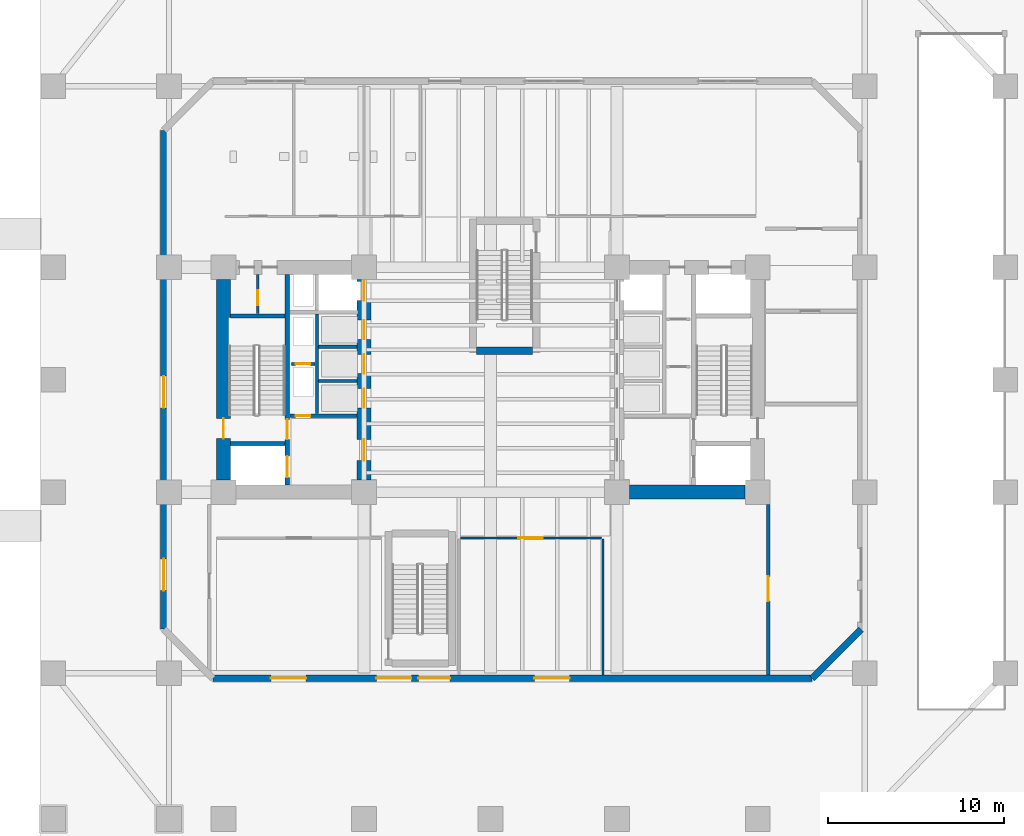
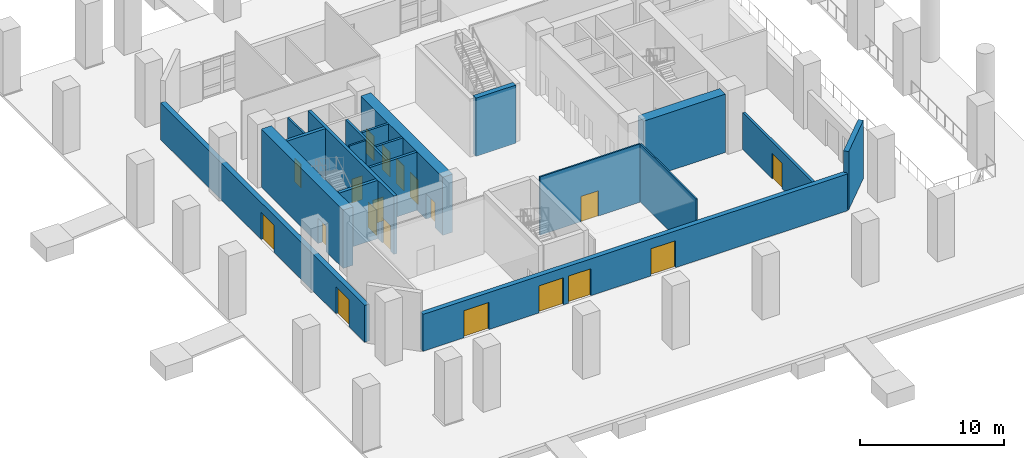
# One storey, part 4 of 12: 19 doors, 19 walls, 19 openings.
"""IFC4 building model written with IfcOpenShell, lengths in metres."""

from ifc_helpers import new_model, si_unit, direction, frame, frame_2d, origin, place, context, subcontext, project, spatial, rectangle, extrude, material, layer, layer_set, type_object, element, fill, save


model = new_model("IFC4")

# Units and contexts
model_context = context("Model", 3, precision=1e-05, world=origin(), true_north=direction((0.0, 1.0)))
body_context = subcontext(model_context, "Body", "Model", "MODEL_VIEW")
ifc_project = project(units=[si_unit("LENGTHUNIT", "METRE"), si_unit("AREAUNIT", "SQUARE_METRE"), si_unit("VOLUMEUNIT", "CUBIC_METRE"), si_unit("PLANEANGLEUNIT", "RADIAN"), si_unit("MASSUNIT", "GRAM", prefix="KILO")], contexts=[model_context])

# Site, building, storey
site_placement = place(None, origin())
site = spatial("IfcSite", under=ifc_project, at=site_placement, CompositionType="ELEMENT")
building_placement = place(site_placement, origin())
building = spatial("IfcBuilding", under=site, at=building_placement, Name="Kranthara Brick Stack", CompositionType="ELEMENT")
storey_placement = place(building_placement, origin())
storey = spatial("IfcBuildingStorey", under=building, at=storey_placement, Name="L00", CompositionType="ELEMENT", Elevation=0.0)

# Wall, openings, doors
ifc_material_1 = material(Name="Kiln-fired clay brick masonry M15", Category="masonry")
ifc_layer_1 = layer(ifc_material_1, 0.3798828125)
ifc_layer_set_1 = layer_set([ifc_layer_1], Name="Kiln-fired clay brick masonry M15")
wall_type_1 = type_object("IfcWallType", Name="WL-BRK-PIER-380", PredefinedType="STANDARD", material=ifc_layer_set_1)
wall_1_placement = place(storey_placement, frame((46.300048828125, 10.2099609375, 0.0), z_axis=(0.0, 0.0, 1.0), x_axis=(-1.0, 0.0, 0.0)))
wall_1 = element("IfcWall", 1, at=wall_1_placement, inside=storey, type_object=wall_type_1, Name="L00 Exterior Brick Facade Wall SOUTH 1", PredefinedType="STANDARD", context=body_context, shape_type="SweptSolid", body=[
    extrude(rectangle(XDim=34.10009765625, YDim=0.3798828125, at=frame_2d((17.050048828125, 0.0))), origin(), (0.0, 0.0, 1.0), 3.135009765625),
])
opening_1_placement = place(wall_1_placement, frame((13.800048828125, 0.0, 0.0)))
opening_1 = element("IfcOpeningElement", 2, at=opening_1_placement, cuts=wall_1, Name="Opening D01", PredefinedType="OPENING", context=body_context, shape_type="SweptSolid", body=[
    extrude(rectangle(XDim=2.0, YDim=2.300048828125, at=frame_2d((1.0, 1.14990234375))), frame((0.0, 0.199951171875, 0.0), z_axis=(0.0, -1.0, 0.0), x_axis=(1.0, 0.0, 0.0)), (0.0, 0.0, 1.0), 0.39990234375),
])
opening_2_placement = place(wall_1_placement, frame((20.60009765625, 0.0, 0.0)))
opening_2 = element("IfcOpeningElement", 3, at=opening_2_placement, cuts=wall_1, Name="Opening ED01", PredefinedType="OPENING", context=body_context, shape_type="SweptSolid", body=[
    extrude(rectangle(XDim=1.800048828125, YDim=2.300048828125, at=frame_2d((0.89990234375, 1.14990234375))), frame((0.0, 0.199951171875, 0.0), z_axis=(0.0, -1.0, 0.0), x_axis=(1.0, 0.0, 0.0)), (0.0, 0.0, 1.0), 0.39990234375),
])
opening_3_placement = place(wall_1_placement, frame((22.800048828125, 0.0, 0.0)))
opening_3 = element("IfcOpeningElement", 4, at=opening_3_placement, cuts=wall_1, Name="Opening D01", PredefinedType="OPENING", context=body_context, shape_type="SweptSolid", body=[
    extrude(rectangle(XDim=2.0, YDim=2.300048828125, at=frame_2d((1.0, 1.14990234375))), frame((0.0, 0.199951171875, 0.0), z_axis=(0.0, -1.0, 0.0), x_axis=(1.0, 0.0, 0.0)), (0.0, 0.0, 1.0), 0.39990234375),
])
opening_4_placement = place(wall_1_placement, frame((28.800048828125, 0.0, 0.0)))
opening_4 = element("IfcOpeningElement", 5, at=opening_4_placement, cuts=wall_1, Name="Opening D01", PredefinedType="OPENING", context=body_context, shape_type="SweptSolid", body=[
    extrude(rectangle(XDim=2.0, YDim=2.300048828125, at=frame_2d((1.0, 1.14990234375))), frame((0.0, 0.199951171875, 0.0), z_axis=(0.0, -1.0, 0.0), x_axis=(1.0, 0.0, 0.0)), (0.0, 0.0, 1.0), 0.39990234375),
])
ifc_material_2 = material(Name="Bronze anodised aluminium and laminated glass", Category="aluminium")
door_type_1 = type_object("IfcDoorType", Name="DR-ENTR-2000", OperationType="DOUBLE_DOOR_SINGLE_SWING", PredefinedType="DOOR", material=ifc_material_2)
door_1_placement = place(opening_1_placement, origin())
door_1 = element("IfcDoor", 6, at=door_1_placement, inside=storey, type_object=door_type_1, Name="L00 Concourse Cafe Street Entrance Door", OperationType="DOUBLE_DOOR_SINGLE_SWING", OverallHeight=2.300048828125, OverallWidth=2.0, PredefinedType="DOOR", context=body_context, shape_type="SweptSolid", body=[
    extrude(rectangle(XDim=2.0, YDim=2.300048828125, at=frame_2d((1.0, 1.14990234375))), frame((0.0, 0.02490234375, 0.0), z_axis=(0.0, -1.0, 0.0), x_axis=(1.0, 0.0, 0.0)), (0.0, 0.0, 1.0), 0.050048828125),
])
fill(opening_1, door_1)
door_2_placement = place(opening_3_placement, origin())
door_2 = element("IfcDoor", 7, at=door_2_placement, inside=storey, type_object=door_type_1, Name="L00 Main Concourse South Entrance Door", OperationType="DOUBLE_DOOR_SINGLE_SWING", OverallHeight=2.300048828125, OverallWidth=2.0, PredefinedType="DOOR", context=body_context, shape_type="SweptSolid", body=[
    extrude(rectangle(XDim=2.0, YDim=2.300048828125, at=frame_2d((1.0, 1.14990234375))), frame((0.0, 0.02490234375, 0.0), z_axis=(0.0, -1.0, 0.0), x_axis=(1.0, 0.0, 0.0)), (0.0, 0.0, 1.0), 0.050048828125),
])
fill(opening_3, door_2)
door_3_placement = place(opening_4_placement, origin())
door_3 = element("IfcDoor", 8, at=door_3_placement, inside=storey, type_object=door_type_1, Name="L00 Design Bookshop Street Entrance Door", OperationType="DOUBLE_DOOR_SINGLE_SWING", OverallHeight=2.300048828125, OverallWidth=2.0, PredefinedType="DOOR", context=body_context, shape_type="SweptSolid", body=[
    extrude(rectangle(XDim=2.0, YDim=2.300048828125, at=frame_2d((1.0, 1.14990234375))), frame((0.0, 0.02490234375, 0.0), z_axis=(0.0, -1.0, 0.0), x_axis=(1.0, 0.0, 0.0)), (0.0, 0.0, 1.0), 0.050048828125),
])
fill(opening_4, door_3)
ifc_material_3 = material(Name="Bronze anodised aluminium and laminated glass", Category="aluminium")
door_type_2 = type_object("IfcDoorType", Name="DR-EXIT-1800", OperationType="DOUBLE_DOOR_SINGLE_SWING", PredefinedType="DOOR", material=ifc_material_3)
door_4_placement = place(opening_2_placement, origin())
door_4 = element("IfcDoor", 9, at=door_4_placement, inside=storey, type_object=door_type_2, Name="L00 South Final Exit Discharge Door ED-05", OperationType="DOUBLE_DOOR_SINGLE_SWING", OverallHeight=2.300048828125, OverallWidth=1.800048828125, PredefinedType="DOOR", context=body_context, shape_type="SweptSolid", body=[
    extrude(rectangle(XDim=1.800048828125, YDim=2.300048828125, at=frame_2d((0.89990234375, 1.14990234375))), frame((0.0, 0.02490234375, 0.0), z_axis=(0.0, -1.0, 0.0), x_axis=(1.0, 0.0, 0.0)), (0.0, 0.0, 1.0), 0.050048828125),
])
fill(opening_2, door_4)

wall_2_placement = place(storey_placement, frame((9.409912109375, 13.0, 0.0), z_axis=(0.0, 0.0, 1.0), x_axis=(0.0, 1.0, 0.0)))
wall_2 = element("IfcWall", 10, at=wall_2_placement, inside=storey, type_object=wall_type_1, Name="L00 Exterior Brick Facade Wall WEST 1", PredefinedType="STANDARD", context=body_context, shape_type="SweptSolid", body=[
    extrude(rectangle(XDim=28.39990234375, YDim=0.3798828125, at=frame_2d((14.199951171875, 0.0))), origin(), (0.0, 0.0, 1.0), 3.135009765625),
])
opening_5_placement = place(wall_2_placement, frame((2.199951171875, 0.0, 0.0)))
opening_5 = element("IfcOpeningElement", 11, at=opening_5_placement, cuts=wall_2, Name="Opening ED01", PredefinedType="OPENING", context=body_context, shape_type="SweptSolid", body=[
    extrude(rectangle(XDim=1.800048828125, YDim=2.300048828125, at=frame_2d((0.89990234375, 1.14990234375))), frame((0.0, 0.199951171875, 0.0), z_axis=(0.0, -1.0, 0.0), x_axis=(1.0, 0.0, 0.0)), (0.0, 0.0, 1.0), 0.39990234375),
])
opening_6_placement = place(wall_2_placement, frame((12.60009765625, 0.0, 0.0)))
opening_6 = element("IfcOpeningElement", 12, at=opening_6_placement, cuts=wall_2, Name="Opening ED01", PredefinedType="OPENING", context=body_context, shape_type="SweptSolid", body=[
    extrude(rectangle(XDim=1.800048828125, YDim=2.300048828125, at=frame_2d((0.89990234375, 1.14990234375))), frame((0.0, 0.199951171875, 0.0), z_axis=(0.0, -1.0, 0.0), x_axis=(1.0, 0.0, 0.0)), (0.0, 0.0, 1.0), 0.39990234375),
])
door_5_placement = place(opening_5_placement, origin())
door_5 = element("IfcDoor", 13, at=door_5_placement, inside=storey, type_object=door_type_2, Name="L00 Final Exit Discharge Door ED-01", OperationType="DOUBLE_DOOR_SINGLE_SWING", OverallHeight=2.300048828125, OverallWidth=1.800048828125, PredefinedType="DOOR", context=body_context, shape_type="SweptSolid", body=[
    extrude(rectangle(XDim=1.800048828125, YDim=2.300048828125, at=frame_2d((0.89990234375, 1.14990234375))), frame((0.0, 0.02490234375, 0.0), z_axis=(0.0, -1.0, 0.0), x_axis=(1.0, 0.0, 0.0)), (0.0, 0.0, 1.0), 0.050048828125),
])
fill(opening_5, door_5)
door_6_placement = place(opening_6_placement, origin())
door_6 = element("IfcDoor", 14, at=door_6_placement, inside=storey, type_object=door_type_2, Name="L00 Final Exit Discharge Door ED-02", OperationType="DOUBLE_DOOR_SINGLE_SWING", OverallHeight=2.300048828125, OverallWidth=1.800048828125, PredefinedType="DOOR", context=body_context, shape_type="SweptSolid", body=[
    extrude(rectangle(XDim=1.800048828125, YDim=2.300048828125, at=frame_2d((0.89990234375, 1.14990234375))), frame((0.0, 0.02490234375, 0.0), z_axis=(0.0, -1.0, 0.0), x_axis=(1.0, 0.0, 0.0)), (0.0, 0.0, 1.0), 0.050048828125),
])
fill(opening_6, door_6)

# Wall
wall_3_placement = place(storey_placement, frame((49.090087890625, 13.0, 0.0), z_axis=(0.0, 0.0, 1.0), x_axis=(-0.707106781187, -0.707106781187, 0.0)))
element("IfcWall", 15, at=wall_3_placement, inside=storey, type_object=wall_type_1, Name="L00 Exterior Brick Facade Wall SE 1", PredefinedType="STANDARD", context=body_context, shape_type="SweptSolid", body=[
    extrude(rectangle(XDim=3.94580078125, YDim=0.3798828125, at=frame_2d((1.972900390625, 0.0))), origin(), (0.0, 0.0, 1.0), 4.949951171875),
])

# Wall, openings, doors
ifc_material_4 = material(Name="Concrete C50/60", Category="concrete")
ifc_layer_2 = layer(ifc_material_4, 0.25)
ifc_layer_set_2 = layer_set([ifc_layer_2], Name="Concrete C50/60")
wall_type_2 = type_object("IfcWallType", Name="WL-CORE-250", PredefinedType="SHEAR", material=ifc_layer_set_2)
wall_4_placement = place(storey_placement, frame((16.43505859375, 21.2099609375, 0.0), z_axis=(0.0, 0.0, 1.0), x_axis=(0.0, 1.0, 0.0)))
wall_4 = element("IfcWall", 16, at=wall_4_placement, inside=storey, type_object=wall_type_2, Name="L00 West Core Stair Bearing Spine Wall", PredefinedType="SHEAR", context=body_context, shape_type="SweptSolid", body=[
    extrude(rectangle(XDim=11.97998046875, YDim=0.25, at=frame_2d((5.989990234375, 0.0))), origin(), (0.0, 0.0, 1.0), 4.949951171875),
])
opening_7_placement = place(wall_4_placement, frame((0.43994140625, 0.0, 0.0)))
opening_7 = element("IfcOpeningElement", 17, at=opening_7_placement, cuts=wall_4, Name="Opening LD01", PredefinedType="OPENING", context=body_context, shape_type="SweptSolid", body=[
    extrude(rectangle(XDim=1.199951171875, YDim=2.14990234375, at=frame_2d((0.60009765625, 1.074951171875))), frame((0.0, 0.135009765625, 0.0), z_axis=(0.0, -1.0, 0.0), x_axis=(1.0, 0.0, 0.0)), (0.0, 0.0, 1.0), 0.27001953125),
])
opening_8_placement = place(wall_4_placement, frame((2.590087890625, 0.0, 0.0)))
opening_8 = element("IfcOpeningElement", 18, at=opening_8_placement, cuts=wall_4, Name="Opening D05", PredefinedType="OPENING", context=body_context, shape_type="SweptSolid", body=[
    extrude(rectangle(XDim=1.14990234375, YDim=2.14990234375, at=frame_2d((0.574951171875, 1.074951171875))), frame((0.0, 0.135009765625, 0.0), z_axis=(0.0, -1.0, 0.0), x_axis=(1.0, 0.0, 0.0)), (0.0, 0.0, 1.0), 0.27001953125),
])
ifc_material_5 = material(Name="Stainless steel sliding landing door", Category="steel")
door_type_3 = type_object("IfcDoorType", Name="DR-LD-FF1200", OperationType="DOUBLE_DOOR_SLIDING", PredefinedType="DOOR", material=ifc_material_5)
door_7_placement = place(opening_7_placement, origin())
door_7 = element("IfcDoor", 19, at=door_7_placement, inside=storey, type_object=door_type_3, Name="L00 Firefighting Lift FF-01 Landing Door", OperationType="DOUBLE_DOOR_SLIDING", OverallHeight=2.14990234375, OverallWidth=1.199951171875, PredefinedType="DOOR", context=body_context, shape_type="SweptSolid", body=[
    extrude(rectangle(XDim=1.199951171875, YDim=2.14990234375, at=frame_2d((0.60009765625, 1.074951171875))), frame((0.0, 0.02490234375, 0.0), z_axis=(0.0, -1.0, 0.0), x_axis=(1.0, 0.0, 0.0)), (0.0, 0.0, 1.0), 0.050048828125),
])
fill(opening_7, door_7)
ifc_material_6 = material(Name="Solid-core hardwood timber leaf in steel frame", Category="steel")
door_type_4 = type_object("IfcDoorType", Name="DR-ST-1150", OperationType="NOTDEFINED", PredefinedType="DOOR", material=ifc_material_6)
door_8_placement = place(opening_8_placement, origin())
door_8 = element("IfcDoor", 20, at=door_8_placement, inside=storey, type_object=door_type_4, Name="L00 Exit Stair ST01 Door", OperationType="SINGLE_SWING_RIGHT", OverallHeight=2.14990234375, OverallWidth=1.14990234375, PredefinedType="DOOR", context=body_context, shape_type="SweptSolid", body=[
    extrude(rectangle(XDim=1.14990234375, YDim=2.14990234375, at=frame_2d((0.574951171875, 1.074951171875))), frame((0.0, 0.02490234375, 0.0), z_axis=(0.0, -1.0, 0.0), x_axis=(1.0, 0.0, 0.0)), (0.0, 0.0, 1.0), 0.050048828125),
])
fill(opening_8, door_8)

# Walls
for number, where, z_axis, x_axis, name in (
    (21, (13.2099609375, 23.570068359375, 0.0), (0.0, 0.0, 1.0), (1.0, 0.0, 0.0), "L00 West Stairwell Bearing Wall WFF"),
    (22, (13.2099609375, 30.830078125, 0.0), (0.0, 0.0, 1.0), (1.0, 0.0, 0.0), "L00 West Stairwell Bearing Wall WST"),
):
    element("IfcWall", number, at=place(storey_placement, frame(where, z_axis=z_axis, x_axis=x_axis)), inside=storey, type_object=wall_type_2, Name=name, PredefinedType="SHEAR", context=body_context, shape_type="SweptSolid", body=[
        extrude(rectangle(XDim=3.10009765625, YDim=0.25, at=frame_2d((1.550048828125, 0.0))), origin(), (0.0, 0.0, 1.0), 4.949951171875),
    ])
ifc_material_7 = material(Name="Concrete C50/60", Category="concrete")
ifc_layer_3 = layer(ifc_material_7, 0.39990234375)
ifc_layer_set_3 = layer_set([ifc_layer_3], Name="Concrete C50/60")
wall_type_3 = type_object("IfcWallType", Name="WL-CORE-400", PredefinedType="SHEAR", material=ifc_layer_set_3)
wall_5_placement = place(storey_placement, frame((27.199951171875, 28.85009765625, 0.0), z_axis=(0.0, 0.0, 1.0), x_axis=(1.0, 0.0, 0.0)))
element("IfcWall", 23, at=wall_5_placement, inside=storey, type_object=wall_type_3, Name="L00 Stair ST04 Bearing Wall S", PredefinedType="SHEAR", context=body_context, shape_type="SweptSolid", body=[
    extrude(rectangle(XDim=3.199951171875, YDim=0.39990234375, at=frame_2d((1.60009765625, 0.0))), origin(), (0.0, 0.0, 1.0), 4.949951171875),
])

# Wall, opening, door
ifc_material_8 = material(Name="Concrete C70/85", Category="concrete")
ifc_layer_4 = layer(ifc_material_8, 0.800048828125)
ifc_layer_set_4 = layer_set([ifc_layer_4], Name="Concrete C70/85")
wall_type_4 = type_object("IfcWallType", Name="WL-CORE-800", PredefinedType="SHEAR", material=ifc_layer_set_4)
wall_6_placement = place(storey_placement, frame((12.800048828125, 21.5048828125, 0.0), z_axis=(0.0, 0.0, 1.0), x_axis=(0.0, 1.0, 0.0)))
wall_6 = element("IfcWall", 24, at=wall_6_placement, inside=storey, type_object=wall_type_4, Name="L00 West Core Shear Wall West", PredefinedType="SHEAR", context=body_context, shape_type="SweptSolid", body=[
    extrude(rectangle(XDim=11.39013671875, YDim=0.800048828125, at=frame_2d((5.695068359375, 0.0))), origin(), (0.0, 0.0, 1.0), 4.949951171875),
])
opening_9_placement = place(wall_6_placement, frame((2.344970703125, 0.0, 0.0)))
opening_9 = element("IfcOpeningElement", 25, at=opening_9_placement, cuts=wall_6, Name="Opening D05", PredefinedType="OPENING", context=body_context, shape_type="SweptSolid", body=[
    extrude(rectangle(XDim=1.14990234375, YDim=2.14990234375, at=frame_2d((0.574951171875, 1.074951171875))), frame((0.0, 0.409912109375, 0.0), z_axis=(0.0, -1.0, 0.0), x_axis=(1.0, 0.0, 0.0)), (0.0, 0.0, 1.0), 0.820068359375),
])
door_9_placement = place(opening_9_placement, origin())
door_9 = element("IfcDoor", 26, at=door_9_placement, inside=storey, type_object=door_type_4, Name="L00 Exit Stair ST01 Protected Discharge Door", OperationType="SINGLE_SWING_LEFT", OverallHeight=2.14990234375, OverallWidth=1.14990234375, PredefinedType="DOOR", context=body_context, shape_type="SweptSolid", body=[
    extrude(rectangle(XDim=1.14990234375, YDim=2.14990234375, at=frame_2d((0.574951171875, 1.074951171875))), frame((0.0, 0.02490234375, 0.0), z_axis=(0.0, -1.0, 0.0), x_axis=(1.0, 0.0, 0.0)), (0.0, 0.0, 1.0), 0.050048828125),
])
fill(opening_9, door_9)

# Wall, openings, doors
wall_7_placement = place(storey_placement, frame((20.800048828125, 21.5048828125, 0.0), z_axis=(0.0, 0.0, 1.0), x_axis=(0.0, 1.0, 0.0)))
wall_7 = element("IfcWall", 27, at=wall_7_placement, inside=storey, type_object=wall_type_4, Name="L00 West Core Shear Wall East", PredefinedType="SHEAR", context=body_context, shape_type="SweptSolid", body=[
    extrude(rectangle(XDim=11.39013671875, YDim=0.800048828125, at=frame_2d((5.695068359375, 0.0))), origin(), (0.0, 0.0, 1.0), 4.949951171875),
])
opening_10_placement = place(wall_7_placement, frame((1.094970703125, 0.0, 0.0)))
opening_10 = element("IfcOpeningElement", 28, at=opening_10_placement, cuts=wall_7, Name="Opening D06", PredefinedType="OPENING", context=body_context, shape_type="SweptSolid", body=[
    extrude(rectangle(XDim=1.199951171875, YDim=2.14990234375, at=frame_2d((0.60009765625, 1.074951171875))), frame((0.0, 0.409912109375, 0.0), z_axis=(0.0, -1.0, 0.0), x_axis=(1.0, 0.0, 0.0)), (0.0, 0.0, 1.0), 0.820068359375),
])
opening_11_placement = place(wall_7_placement, frame((4.094970703125, 0.0, 0.0)))
opening_11 = element("IfcOpeningElement", 29, at=opening_11_placement, cuts=wall_7, Name="Opening LD02", PredefinedType="OPENING", context=body_context, shape_type="SweptSolid", body=[
    extrude(rectangle(XDim=1.10009765625, YDim=2.10009765625, at=frame_2d((0.550048828125, 1.050048828125))), frame((0.0, 0.409912109375, 0.0), z_axis=(0.0, -1.0, 0.0), x_axis=(1.0, 0.0, 0.0)), (0.0, 0.0, 1.0), 0.820068359375),
])
opening_12_placement = place(wall_7_placement, frame((6.044921875, 0.0, 0.0)))
opening_12 = element("IfcOpeningElement", 30, at=opening_12_placement, cuts=wall_7, Name="Opening LD02", PredefinedType="OPENING", context=body_context, shape_type="SweptSolid", body=[
    extrude(rectangle(XDim=1.10009765625, YDim=2.10009765625, at=frame_2d((0.550048828125, 1.050048828125))), frame((0.0, 0.409912109375, 0.0), z_axis=(0.0, -1.0, 0.0), x_axis=(1.0, 0.0, 0.0)), (0.0, 0.0, 1.0), 0.820068359375),
])
opening_13_placement = place(wall_7_placement, frame((7.9951171875, 0.0, 0.0)))
opening_13 = element("IfcOpeningElement", 31, at=opening_13_placement, cuts=wall_7, Name="Opening LD02", PredefinedType="OPENING", context=body_context, shape_type="SweptSolid", body=[
    extrude(rectangle(XDim=1.10009765625, YDim=2.10009765625, at=frame_2d((0.550048828125, 1.050048828125))), frame((0.0, 0.409912109375, 0.0), z_axis=(0.0, -1.0, 0.0), x_axis=(1.0, 0.0, 0.0)), (0.0, 0.0, 1.0), 0.820068359375),
])
opening_14_placement = place(wall_7_placement, frame((10.195068359375, 0.0, 0.0)))
opening_14 = element("IfcOpeningElement", 32, at=opening_14_placement, cuts=wall_7, Name="Opening LD02", PredefinedType="OPENING", context=body_context, shape_type="SweptSolid", body=[
    extrude(rectangle(XDim=1.10009765625, YDim=2.10009765625, at=frame_2d((0.550048828125, 1.050048828125))), frame((0.0, 0.409912109375, 0.0), z_axis=(0.0, -1.0, 0.0), x_axis=(1.0, 0.0, 0.0)), (0.0, 0.0, 1.0), 0.820068359375),
])
ifc_material_9 = material(Name="Solid-core hardwood timber leaf in steel frame", Category="steel")
door_type_5 = type_object("IfcDoorType", Name="DR-FFL-1200", OperationType="NOTDEFINED", PredefinedType="DOOR", material=ifc_material_9)
door_10_placement = place(opening_10_placement, origin())
door_10 = element("IfcDoor", 33, at=door_10_placement, inside=storey, type_object=door_type_5, Name="L00 West Firefighting Lobby Door", OperationType="SINGLE_SWING_LEFT", OverallHeight=2.14990234375, OverallWidth=1.199951171875, PredefinedType="DOOR", context=body_context, shape_type="SweptSolid", body=[
    extrude(rectangle(XDim=1.199951171875, YDim=2.14990234375, at=frame_2d((0.60009765625, 1.074951171875))), frame((0.0, 0.02490234375, 0.0), z_axis=(0.0, -1.0, 0.0), x_axis=(1.0, 0.0, 0.0)), (0.0, 0.0, 1.0), 0.050048828125),
])
fill(opening_10, door_10)
ifc_material_10 = material(Name="Stainless steel sliding landing door", Category="steel")
door_type_6 = type_object("IfcDoorType", Name="DR-LD-PL1100", OperationType="DOUBLE_DOOR_SLIDING", PredefinedType="DOOR", material=ifc_material_10)
door_11_placement = place(opening_11_placement, origin())
door_11 = element("IfcDoor", 34, at=door_11_placement, inside=storey, type_object=door_type_6, Name="L00 PL-01 Lift Landing Door", OperationType="DOUBLE_DOOR_SLIDING", OverallHeight=2.10009765625, OverallWidth=1.10009765625, PredefinedType="DOOR", context=body_context, shape_type="SweptSolid", body=[
    extrude(rectangle(XDim=1.10009765625, YDim=2.10009765625, at=frame_2d((0.550048828125, 1.050048828125))), frame((0.0, 0.02490234375, 0.0), z_axis=(0.0, -1.0, 0.0), x_axis=(1.0, 0.0, 0.0)), (0.0, 0.0, 1.0), 0.050048828125),
])
fill(opening_11, door_11)
door_12_placement = place(opening_12_placement, origin())
door_12 = element("IfcDoor", 35, at=door_12_placement, inside=storey, type_object=door_type_6, Name="L00 PL-02 Lift Landing Door", OperationType="DOUBLE_DOOR_SLIDING", OverallHeight=2.10009765625, OverallWidth=1.10009765625, PredefinedType="DOOR", context=body_context, shape_type="SweptSolid", body=[
    extrude(rectangle(XDim=1.10009765625, YDim=2.10009765625, at=frame_2d((0.550048828125, 1.050048828125))), frame((0.0, 0.02490234375, 0.0), z_axis=(0.0, -1.0, 0.0), x_axis=(1.0, 0.0, 0.0)), (0.0, 0.0, 1.0), 0.050048828125),
])
fill(opening_12, door_12)
door_13_placement = place(opening_13_placement, origin())
door_13 = element("IfcDoor", 36, at=door_13_placement, inside=storey, type_object=door_type_6, Name="L00 PL-03 Lift Landing Door", OperationType="DOUBLE_DOOR_SLIDING", OverallHeight=2.10009765625, OverallWidth=1.10009765625, PredefinedType="DOOR", context=body_context, shape_type="SweptSolid", body=[
    extrude(rectangle(XDim=1.10009765625, YDim=2.10009765625, at=frame_2d((0.550048828125, 1.050048828125))), frame((0.0, 0.02490234375, 0.0), z_axis=(0.0, -1.0, 0.0), x_axis=(1.0, 0.0, 0.0)), (0.0, 0.0, 1.0), 0.050048828125),
])
fill(opening_13, door_13)
door_14_placement = place(opening_14_placement, origin())
door_14 = element("IfcDoor", 37, at=door_14_placement, inside=storey, type_object=door_type_6, Name="L00 PL-07 Lift Landing Door", OperationType="DOUBLE_DOOR_SLIDING", OverallHeight=2.10009765625, OverallWidth=1.10009765625, PredefinedType="DOOR", context=body_context, shape_type="SweptSolid", body=[
    extrude(rectangle(XDim=1.10009765625, YDim=2.10009765625, at=frame_2d((0.550048828125, 1.050048828125))), frame((0.0, 0.02490234375, 0.0), z_axis=(0.0, -1.0, 0.0), x_axis=(1.0, 0.0, 0.0)), (0.0, 0.0, 1.0), 0.050048828125),
])
fill(opening_14, door_14)

# Walls
wall_8_placement = place(storey_placement, frame((35.905029296875, 20.800048828125, 0.0), z_axis=(0.0, 0.0, 1.0), x_axis=(1.0, 0.0, 0.0)))
element("IfcWall", 38, at=wall_8_placement, inside=storey, type_object=wall_type_4, Name="L00 East Core Shear Wall South", PredefinedType="SHEAR", context=body_context, shape_type="SweptSolid", body=[
    extrude(rectangle(XDim=6.590087890625, YDim=0.800048828125, at=frame_2d((3.294921875, 0.0))), origin(), (0.0, 0.0, 1.0), 4.949951171875),
])
ifc_material_11 = material(Name="Acoustic gypsum plasterboard partition", Category="other")
ifc_layer_5 = layer(ifc_material_11, 0.1201171875)
ifc_layer_set_5 = layer_set([ifc_layer_5], Name="Acoustic gypsum plasterboard partition")
wall_type_5 = type_object("IfcWallType", Name="WL-PART-120", PredefinedType="PARTITIONING", material=ifc_layer_set_5)
wall_9_placement = place(storey_placement, frame((34.39990234375, 10.405029296875, 0.0), z_axis=(0.0, 0.0, 1.0), x_axis=(0.0, 1.0, 0.0)))
element("IfcWall", 39, at=wall_9_placement, inside=storey, type_object=wall_type_5, Name="L00 Interior Partition 011", PredefinedType="PARTITIONING", context=body_context, shape_type="SweptSolid", body=[
    extrude(rectangle(XDim=7.744873046875, YDim=0.1201171875, at=frame_2d((3.87255859375, 0.0))), origin(), (0.0, 0.0, 1.0), 4.949951171875),
])

# Wall, opening, door
wall_10_placement = place(storey_placement, frame((26.280029296875, 18.199951171875, 0.0), z_axis=(0.0, 0.0, 1.0), x_axis=(1.0, 0.0, 0.0)))
wall_10 = element("IfcWall", 40, at=wall_10_placement, inside=storey, type_object=wall_type_5, Name="L00 Interior Partition 012", PredefinedType="PARTITIONING", context=body_context, shape_type="SweptSolid", body=[
    extrude(rectangle(XDim=8.0400390625, YDim=0.1201171875, at=frame_2d((4.02001953125, 0.0))), origin(), (0.0, 0.0, 1.0), 4.949951171875),
])
opening_15_placement = place(wall_10_placement, frame((3.300048828125, 0.0, 0.0)))
opening_15 = element("IfcOpeningElement", 41, at=opening_15_placement, cuts=wall_10, Name="Opening D23", PredefinedType="OPENING", context=body_context, shape_type="SweptSolid", body=[
    extrude(rectangle(XDim=1.39990234375, YDim=2.14990234375, at=frame_2d((0.699951171875, 1.074951171875))), frame((0.0, 0.070068359375, 0.0), z_axis=(0.0, -1.0, 0.0), x_axis=(1.0, 0.0, 0.0)), (0.0, 0.0, 1.0), 0.14013671875),
])
ifc_material_12 = material(Name="Solid-core hardwood timber leaf in steel frame", Category="steel")
door_type_7 = type_object("IfcDoorType", Name="DR-DBL-1400U", OperationType="DOUBLE_DOOR_SINGLE_SWING", PredefinedType="DOOR", material=ifc_material_12)
door_15_placement = place(opening_15_placement, origin())
door_15 = element("IfcDoor", 42, at=door_15_placement, inside=storey, type_object=door_type_7, Name="L00 Cafe Entrance 09", OperationType="DOUBLE_DOOR_SINGLE_SWING", OverallHeight=2.14990234375, OverallWidth=1.39990234375, PredefinedType="DOOR", context=body_context, shape_type="SweptSolid", body=[
    extrude(rectangle(XDim=1.39990234375, YDim=2.14990234375, at=frame_2d((0.699951171875, 1.074951171875))), frame((0.0, 0.02490234375, 0.0), z_axis=(0.0, -1.0, 0.0), x_axis=(1.0, 0.0, 0.0)), (0.0, 0.0, 1.0), 0.050048828125),
])
fill(opening_15, door_15)

ifc_material_13 = material(Name="Fire-rated gypsum board partition", Category="other")
ifc_layer_6 = layer(ifc_material_13, 0.14990234375)
ifc_layer_set_6 = layer_set([ifc_layer_6], Name="Fire-rated gypsum board partition")
wall_type_6 = type_object("IfcWallType", Name="WL-PART-150", PredefinedType="PARTITIONING", material=ifc_layer_set_6)
wall_11_placement = place(storey_placement, frame((14.75, 30.9599609375, 0.0), z_axis=(0.0, 0.0, 1.0), x_axis=(0.0, 1.0, 0.0)))
wall_11 = element("IfcWall", 43, at=wall_11_placement, inside=storey, type_object=wall_type_6, Name="L00 Interior Partition 001", PredefinedType="PARTITIONING", context=body_context, shape_type="SweptSolid", body=[
    extrude(rectangle(XDim=2.235107421875, YDim=0.14990234375, at=frame_2d((1.11767578125, 0.0))), origin(), (0.0, 0.0, 1.0), 4.949951171875),
])
opening_16_placement = place(wall_11_placement, frame((0.469970703125, 0.0, 0.0)))
opening_16 = element("IfcOpeningElement", 44, at=opening_16_placement, cuts=wall_11, Name="Opening D10", PredefinedType="OPENING", context=body_context, shape_type="SweptSolid", body=[
    extrude(rectangle(XDim=0.85009765625, YDim=2.02001953125, at=frame_2d((0.425048828125, 1.010009765625))), frame((0.0, 0.0849609375, 0.0), z_axis=(0.0, -1.0, 0.0), x_axis=(1.0, 0.0, 0.0)), (0.0, 0.0, 1.0), 0.169921875),
])
ifc_material_14 = material(Name="Solid-core hardwood timber leaf in steel frame", Category="steel")
door_type_8 = type_object("IfcDoorType", Name="DR-RSR-850", OperationType="NOTDEFINED", PredefinedType="DOOR", material=ifc_material_14)
door_16_placement = place(opening_16_placement, origin())
door_16 = element("IfcDoor", 45, at=door_16_placement, inside=storey, type_object=door_type_8, Name="L00 Service Interconnect 01", OperationType="SINGLE_SWING_LEFT", OverallHeight=2.02001953125, OverallWidth=0.85009765625, PredefinedType="DOOR", context=body_context, shape_type="SweptSolid", body=[
    extrude(rectangle(XDim=0.85009765625, YDim=2.02001953125, at=frame_2d((0.425048828125, 1.010009765625))), frame((0.0, 0.02490234375, 0.0), z_axis=(0.0, -1.0, 0.0), x_axis=(1.0, 0.0, 0.0)), (0.0, 0.0, 1.0), 0.050048828125),
])
fill(opening_16, door_16)

wall_12_placement = place(storey_placement, frame((16.679931640625, 28.10009765625, 0.0), z_axis=(0.0, 0.0, 1.0), x_axis=(1.0, 0.0, 0.0)))
wall_12 = element("IfcWall", 46, at=wall_12_placement, inside=storey, type_object=wall_type_6, Name="L00 Interior Partition 004", PredefinedType="PARTITIONING", context=body_context, shape_type="SweptSolid", body=[
    extrude(rectangle(XDim=1.320068359375, YDim=0.14990234375, at=frame_2d((0.66015625, 0.0))), origin(), (0.0, 0.0, 1.0), 4.949951171875),
])
opening_17_placement = place(wall_12_placement, frame((0.219970703125, 0.0, 0.0)))
opening_17 = element("IfcOpeningElement", 47, at=opening_17_placement, cuts=wall_12, Name="Opening D10", PredefinedType="OPENING", context=body_context, shape_type="SweptSolid", body=[
    extrude(rectangle(XDim=0.85009765625, YDim=2.02001953125, at=frame_2d((0.425048828125, 1.010009765625))), frame((0.0, 0.0849609375, 0.0), z_axis=(0.0, -1.0, 0.0), x_axis=(1.0, 0.0, 0.0)), (0.0, 0.0, 1.0), 0.169921875),
])
door_17_placement = place(opening_17_placement, origin())
door_17 = element("IfcDoor", 48, at=door_17_placement, inside=storey, type_object=door_type_8, Name="L00 Riser Split Door 04", OperationType="SINGLE_SWING_RIGHT", OverallHeight=2.02001953125, OverallWidth=0.85009765625, PredefinedType="DOOR", context=body_context, shape_type="SweptSolid", body=[
    extrude(rectangle(XDim=0.85009765625, YDim=2.02001953125, at=frame_2d((0.425048828125, 1.010009765625))), frame((0.0, 0.02490234375, 0.0), z_axis=(0.0, -1.0, 0.0), x_axis=(1.0, 0.0, 0.0)), (0.0, 0.0, 1.0), 0.050048828125),
])
fill(opening_17, door_17)

# Walls
ifc_material_15 = material(Name="Gypsum plasterboard on acoustic twin stud", Category="other")
ifc_layer_7 = layer(ifc_material_15, 0.179931640625)
ifc_layer_set_7 = layer_set([ifc_layer_7], Name="Gypsum plasterboard on acoustic twin stud")
wall_type_7 = type_object("IfcWallType", Name="WL-PART-180", PredefinedType="PARTITIONING", material=ifc_layer_set_7)
wall_13_placement = place(storey_placement, frame((18.1201171875, 25.27001953125, 0.0), z_axis=(0.0, 0.0, 1.0), x_axis=(0.0, 1.0, 0.0)))
element("IfcWall", 49, at=wall_13_placement, inside=storey, type_object=wall_type_7, Name="L00 West Hoistway Wall WBK", PredefinedType="PARTITIONING", context=body_context, shape_type="SweptSolid", body=[
    extrude(rectangle(XDim=5.659912109375, YDim=0.179931640625, at=frame_2d((2.830078125, 0.0))), origin(), (0.0, 0.0, 1.0), 4.949951171875),
])
for number, where, z_axis, x_axis, name in (
    (50, (18.219970703125, 27.1201171875, 0.0), (0.0, 0.0, 1.0), (1.0, 0.0, 0.0), "L00 West Hoistway Wall WH1"),
    (51, (18.219970703125, 29.080078125, 0.0), (0.0, 0.0, 1.0), (1.0, 0.0, 0.0), "L00 West Hoistway Wall WH2"),
):
    element("IfcWall", number, at=place(storey_placement, frame(where, z_axis=z_axis, x_axis=x_axis)), inside=storey, type_object=wall_type_7, Name=name, PredefinedType="PARTITIONING", context=body_context, shape_type="SweptSolid", body=[
        extrude(rectangle(XDim=2.169921875, YDim=0.179931640625, at=frame_2d((1.0849609375, 0.0))), origin(), (0.0, 0.0, 1.0), 4.949951171875),
    ])

# Wall, opening, door
ifc_material_16 = material(Name="Concrete C40/50", Category="concrete")
ifc_layer_8 = layer(ifc_material_16, 0.199951171875)
ifc_layer_set_8 = layer_set([ifc_layer_8], Name="Concrete C40/50")
wall_type_8 = type_object("IfcWallType", Name="WL-PART-200", PredefinedType="SOLIDWALL", material=ifc_layer_set_8)
wall_14_placement = place(storey_placement, frame((16.60009765625, 25.14990234375, 0.0), z_axis=(0.0, 0.0, 1.0), x_axis=(1.0, 0.0, 0.0)))
wall_14 = element("IfcWall", 52, at=wall_14_placement, inside=storey, type_object=wall_type_8, Name="L00 West Core Cross Wall WFL", PredefinedType="SOLIDWALL", context=body_context, shape_type="SweptSolid", body=[
    extrude(rectangle(XDim=3.789794921875, YDim=0.199951171875, at=frame_2d((1.89501953125, 0.0))), origin(), (0.0, 0.0, 1.0), 4.949951171875),
])
opening_18_placement = place(wall_14_placement, frame((0.300048828125, 0.0, 0.0)))
opening_18 = element("IfcOpeningElement", 53, at=opening_18_placement, cuts=wall_14, Name="Opening D10", PredefinedType="OPENING", context=body_context, shape_type="SweptSolid", body=[
    extrude(rectangle(XDim=0.85009765625, YDim=2.02001953125, at=frame_2d((0.425048828125, 1.010009765625))), frame((0.0, 0.10986328125, 0.0), z_axis=(0.0, -1.0, 0.0), x_axis=(1.0, 0.0, 0.0)), (0.0, 0.0, 1.0), 0.219970703125),
])
door_18_placement = place(opening_18_placement, origin())
door_18 = element("IfcDoor", 54, at=door_18_placement, inside=storey, type_object=door_type_8, Name="L00 Mechanical Riser Access Door", OperationType="SINGLE_SWING_LEFT", OverallHeight=2.02001953125, OverallWidth=0.85009765625, PredefinedType="DOOR", context=body_context, shape_type="SweptSolid", body=[
    extrude(rectangle(XDim=0.85009765625, YDim=2.02001953125, at=frame_2d((0.425048828125, 1.010009765625))), frame((0.0, 0.02490234375, 0.0), z_axis=(0.0, -1.0, 0.0), x_axis=(1.0, 0.0, 0.0)), (0.0, 0.0, 1.0), 0.050048828125),
])
fill(opening_18, door_18)

wall_15_placement = place(storey_placement, frame((43.800048828125, 10.405029296875, 0.0), z_axis=(0.0, 0.0, 1.0), x_axis=(0.0, 1.0, 0.0)))
wall_15 = element("IfcWall", 55, at=wall_15_placement, inside=storey, type_object=wall_type_8, Name="L00 Interior Partition 006", PredefinedType="SOLIDWALL", context=body_context, shape_type="SweptSolid", body=[
    extrude(rectangle(XDim=9.695068359375, YDim=0.199951171875, at=frame_2d((4.84765625, 0.0))), origin(), (0.0, 0.0, 1.0), 3.135009765625),
])
opening_19_placement = place(wall_15_placement, frame((4.199951171875, 0.0, 0.0)))
opening_19 = element("IfcOpeningElement", 56, at=opening_19_placement, cuts=wall_15, Name="Opening D22", PredefinedType="OPENING", context=body_context, shape_type="SweptSolid", body=[
    extrude(rectangle(XDim=1.39990234375, YDim=2.14990234375, at=frame_2d((0.699951171875, 1.074951171875))), frame((0.0, 0.10986328125, 0.0), z_axis=(0.0, -1.0, 0.0), x_axis=(1.0, 0.0, 0.0)), (0.0, 0.0, 1.0), 0.219970703125),
])
ifc_material_17 = material(Name="Solid-core hardwood timber leaf in steel frame", Category="steel")
door_type_9 = type_object("IfcDoorType", Name="DR-FD-1400", OperationType="DOUBLE_DOOR_SINGLE_SWING", PredefinedType="DOOR", material=ifc_material_17)
door_19_placement = place(opening_19_placement, origin())
door_19 = element("IfcDoor", 57, at=door_19_placement, inside=storey, type_object=door_type_9, Name="L00 East Exit Passage Door 06", OperationType="DOUBLE_DOOR_SINGLE_SWING", OverallHeight=2.14990234375, OverallWidth=1.39990234375, PredefinedType="DOOR", context=body_context, shape_type="SweptSolid", body=[
    extrude(rectangle(XDim=1.39990234375, YDim=2.14990234375, at=frame_2d((0.699951171875, 1.074951171875))), frame((0.0, 0.02490234375, 0.0), z_axis=(0.0, -1.0, 0.0), x_axis=(1.0, 0.0, 0.0)), (0.0, 0.0, 1.0), 0.050048828125),
])
fill(opening_19, door_19)

save(model, "model.ifc")
